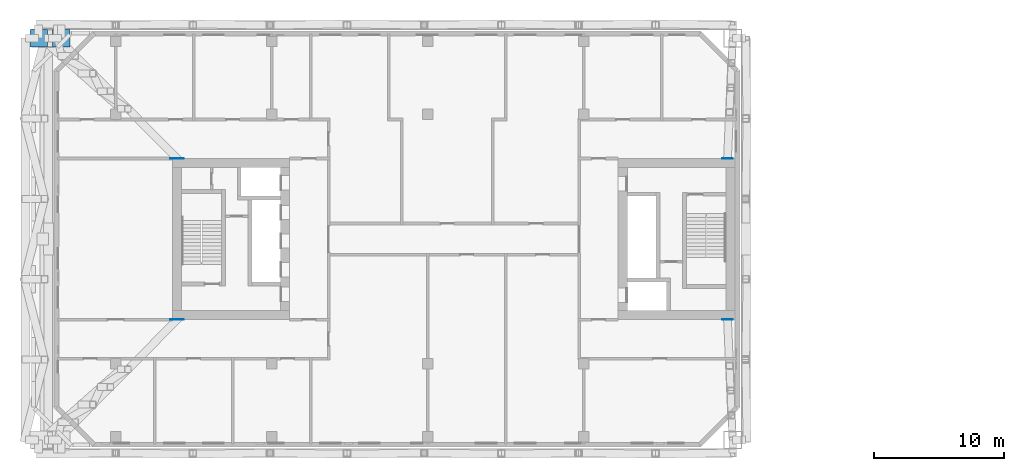
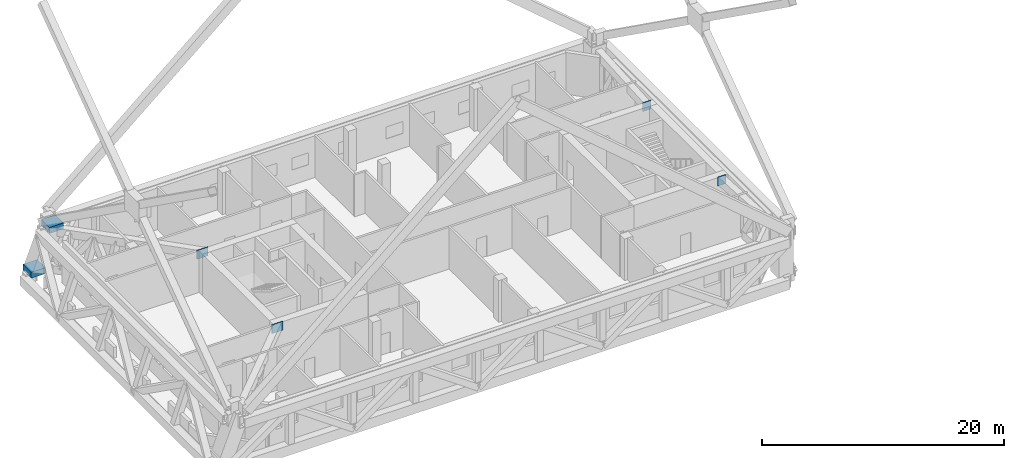
# One storey, part 18 of 20: 6 discrete accessories.
"""IFC4 building model written with IfcOpenShell, lengths in metres."""

import ifcopenshell
import ifcopenshell.guid

model = None  # the IFC model being written
_history = None  # IfcOwnerHistory: only IFC2X3 demands one
_inside = {}  # id of a spatial element -> (the spatial element, [elements in it])
_under = {}  # id of a project, library or spatial element -> (it, [spatial elements below it])
_declared = {}  # id of a project -> (the project, [libraries it declares])
_typed = {}  # id of a type object -> (the type object, [elements of that type])
_made_of = {}  # id of a material, layer set ... -> (it, [elements and type objects made of it])


def new_model(schema):
    """Start an empty IFC model of exactly this schema.

    Asked for "IFC4X3", IfcOpenShell would pick the latest addendum, in which some entities
    have other attributes; the version numbers below select the first issue.
    IFC2X3 requires an IfcOwnerHistory on every rooted entity: one is made here for all.
    """
    global model, _history
    if schema == "IFC4X3":
        model = ifcopenshell.file(schema_version=(4, 3, 0, 0))
    else:
        model = ifcopenshell.file(schema=schema)
    _inside.clear()
    _under.clear()
    _declared.clear()
    _typed.clear()
    _made_of.clear()
    _history = None
    if model.schema == "IFC2X3":
        org = make("IfcOrganization", Name="unknown")
        user = make(
            "IfcPersonAndOrganization",
            ThePerson=make("IfcPerson", FamilyName="unknown"),
            TheOrganization=org,
        )
        app = make(
            "IfcApplication",
            ApplicationDeveloper=org,
            Version="unknown",
            ApplicationFullName="unknown",
            ApplicationIdentifier="unknown",
        )
        _history = make(
            "IfcOwnerHistory",
            OwningUser=user,
            OwningApplication=app,
            ChangeAction="ADDED",
            CreationDate=0,
        )
    return model


def make(cls, **values):
    """One entity of the class cls with the attributes given. An attribute that is None is left unset."""
    return model.create_entity(
        cls, **{name: value for name, value in values.items() if value is not None}
    )


def rooted(cls, **values):
    """An entity with a GlobalId (a new one), such as an element, a storey or a relation."""
    return make(cls, GlobalId=ifcopenshell.guid.new(), OwnerHistory=_history, **values)


def si_unit(unit_type, name, prefix=None):
    """IfcSIUnit, for example si_unit("LENGTHUNIT", "METRE", prefix="MILLI")."""
    return make("IfcSIUnit", UnitType=unit_type, Prefix=prefix, Name=name)


def assignment(units):
    """IfcUnitAssignment: the units of a project."""
    return None if units is None else make("IfcUnitAssignment", Units=units)


def point(xyz):
    """IfcCartesianPoint."""
    return None if xyz is None else make("IfcCartesianPoint", Coordinates=xyz)


def direction(xyz):
    """IfcDirection."""
    return None if xyz is None else make("IfcDirection", DirectionRatios=xyz)


def frame(location, z_axis=None, x_axis=None):
    """IfcAxis2Placement3D, a coordinate frame: its origin and axes. An axis left out is left unset."""
    return make(
        "IfcAxis2Placement3D",
        Location=point(location),
        Axis=direction(z_axis),
        RefDirection=direction(x_axis),
    )


def frame_2d(location, x_axis=None):
    """IfcAxis2Placement2D, a coordinate frame in the plane: its origin and x axis."""
    return make(
        "IfcAxis2Placement2D", Location=point(location), RefDirection=direction(x_axis)
    )


def origin():
    """The frame at (0, 0, 0) with its axes left unset."""
    return frame((0.0, 0.0, 0.0))


def origin_2d():
    """The frame at (0, 0) in the plane with its x axis left unset."""
    return frame_2d((0.0, 0.0))


def place(relative_to, where):
    """IfcLocalPlacement: puts the frame where relative to a parent placement (None: the world)."""
    return make(
        "IfcLocalPlacement", PlacementRelTo=relative_to, RelativePlacement=where
    )


def context(
    kind, dimensions, precision=None, world=None, true_north=None, identifier=None
):
    """IfcGeometricRepresentationContext, for example the 3D "Model" context."""
    return make(
        "IfcGeometricRepresentationContext",
        ContextIdentifier=identifier,
        ContextType=kind,
        CoordinateSpaceDimension=dimensions,
        Precision=precision,
        WorldCoordinateSystem=world,
        TrueNorth=true_north,
    )


def subcontext(parent, identifier, kind, view, scale=None):
    """IfcGeometricRepresentationSubContext, for example "Body" below "Model"."""
    return make(
        "IfcGeometricRepresentationSubContext",
        ContextIdentifier=identifier,
        ContextType=kind,
        ParentContext=parent,
        TargetScale=scale,
        TargetView=view,
    )


def project(units=None, contexts=None):
    """IfcProject with its units and contexts."""
    return rooted(
        "IfcProject",
        Name="project",
        RepresentationContexts=contexts,
        UnitsInContext=assignment(units),
    )


def spatial(cls, under=None, at=None, **own):
    """A site, building, storey or space (cls), placed at a placement, below another one or the project."""
    s = rooted(cls, ObjectPlacement=at, **own)
    if under is not None:
        _under.setdefault(under.id(), (under, []))[1].append(s)
    return s


def profile(cls, at=None, kind="AREA", **sizes):
    """A parametric profile (cls). Its sizes go by their IFC names, for example OverallWidth=200.0."""
    return make(cls, ProfileType=kind, Position=at, **sizes)


def rectangle(**sizes):
    """IfcRectangleProfileDef."""
    return profile("IfcRectangleProfileDef", **sizes)


def extrude(swept, where, along, depth):
    """IfcExtrudedAreaSolid: the profile swept, set in the frame where, extruded along a direction by depth."""
    return make(
        "IfcExtrudedAreaSolid",
        SweptArea=swept,
        Position=where,
        ExtrudedDirection=direction(along),
        Depth=depth,
    )


def shape(context_of_items, identifier, shape_type, items):
    """IfcShapeRepresentation: the items that make up one representation, for example the "Body"."""
    return make(
        "IfcShapeRepresentation",
        ContextOfItems=context_of_items,
        RepresentationIdentifier=identifier,
        RepresentationType=shape_type,
        Items=items,
    )


def made_of(thing, what):
    """Note that an element or type object is made of a material, layer set ...; save() writes the relation."""
    if what is not None:
        _made_of.setdefault(what.id(), (what, []))[1].append(thing)
    return thing


def element(
    cls,
    number,
    at=None,
    inside=None,
    cuts=None,
    type_object=None,
    material=None,
    context=None,
    identifier="Body",
    shape_type=None,
    held_by="IfcProductDefinitionShape",
    body=None,
    shapes=None,
    **own,
):
    """One element of the class cls, such as IfcWall. Its Tag is "e" and its number.

    at: its placement. inside: the storey or other place that contains it. cuts: it is an
    opening in that element (IfcRelVoidsElement). A single representation is given by context,
    identifier, shape_type and body (its items); several are given by shapes. held_by: the class
    of the entity that holds the representations. save() writes the other relations.
    """
    e = rooted(cls, Tag="e%d" % number, ObjectPlacement=at, **own)
    if body is not None:
        shapes = [shape(context, identifier, shape_type, body)]
    if shapes is not None:
        e.Representation = make(held_by, Representations=shapes)
    if inside is not None:
        _inside.setdefault(inside.id(), (inside, []))[1].append(e)
    if cuts is not None:
        rooted(
            "IfcRelVoidsElement", RelatingBuildingElement=cuts, RelatedOpeningElement=e
        )
    if type_object is not None:
        _typed.setdefault(type_object.id(), (type_object, []))[1].append(e)
    return made_of(e, material)


def aggregate(whole, parts):
    """IfcRelAggregates: a whole, such as a stair, and the parts it consists of."""
    return rooted("IfcRelAggregates", RelatingObject=whole, RelatedObjects=parts)


def save(model, path):
    """Write the relations noted so far, then the file.

    IfcRelAggregates (storeys below a building ...), IfcRelContainedInSpatialStructure (elements
    in a storey), IfcRelDefinesByType, IfcRelAssociatesMaterial and IfcRelDeclares: one each for
    every whole, place, type object, material and project.
    """
    for whole, parts in _under.values():
        aggregate(whole, parts)
    for where, things in _inside.values():
        rooted(
            "IfcRelContainedInSpatialStructure",
            RelatedElements=things,
            RelatingStructure=where,
        )
    for kind, things in _typed.values():
        rooted("IfcRelDefinesByType", RelatedObjects=things, RelatingType=kind)
    for what, things in _made_of.values():
        rooted("IfcRelAssociatesMaterial", RelatedObjects=things, RelatingMaterial=what)
    for by, libraries in _declared.values():
        rooted("IfcRelDeclares", RelatingContext=by, RelatedDefinitions=libraries)
    model.write(path)


model = new_model("IFC4")

# Units and contexts
model_context = context("Model", 3, precision=1e-05, world=origin(), true_north=direction((0.0, 1.0)))
body_context = subcontext(model_context, "Body", "Model", "MODEL_VIEW")
ifc_project = project(units=[si_unit("LENGTHUNIT", "METRE"), si_unit("AREAUNIT", "SQUARE_METRE"), si_unit("VOLUMEUNIT", "CUBIC_METRE"), si_unit("PLANEANGLEUNIT", "RADIAN"), si_unit("MASSUNIT", "GRAM", prefix="KILO")], contexts=[model_context])

# Site, building, storey
site_placement = place(None, origin())
site = spatial("IfcSite", under=ifc_project, at=site_placement, CompositionType="ELEMENT")
building_placement = place(site_placement, origin())
building = spatial("IfcBuilding", under=site, at=building_placement, Name="Tuart Gate Housing", CompositionType="ELEMENT")
storey_placement = place(building_placement, frame((0.0, 0.0, 62.89990234375)))
storey = spatial("IfcBuildingStorey", under=building, at=storey_placement, Name="L17", CompositionType="ELEMENT", Elevation=62.89990234375)

# Discrete accessories
for number, where, z_axis, x_axis, name in (
    (1, (22.050048828125, 85.449951171875, 0.0), (0.0, 0.0, 1.0), (1.0, 0.0, 0.0), "Mega column node A north-west foot L17"),
    (2, (23.800048828125, 85.449951171875, 3.900146484375), (0.0, 0.0, 1.0), (1.0, 0.0, 0.0), "Mega column node A north-west head L17"),
):
    element("IfcDiscreteAccessory", number, at=place(storey_placement, frame(where, z_axis=z_axis, x_axis=x_axis)), inside=storey, Name=name, ObjectType="Mega column node", PredefinedType="USERDEFINED", context=body_context, shape_type="SweptSolid", body=[
        extrude(rectangle(XDim=1.343994140625, YDim=1.343994140625, at=origin_2d()), origin(), (0.0, 0.0, 1.0), 0.60009765625),
    ])
for number, where, z_axis, x_axis, name in (
    (3, (32.7119140625, 63.820068359375, 3.35009765625), (0.0, 0.0, 1.0), (1.0, 0.0, 0.0), "Outrigger embed plate AK south L17"),
    (4, (32.7119140625, 76.179931640625, 3.35009765625), (0.0, 0.0, 1.0), (1.0, 0.0, 0.0), "Outrigger embed plate AK north L17"),
):
    element("IfcDiscreteAccessory", number, at=place(storey_placement, frame(where, z_axis=z_axis, x_axis=x_axis)), inside=storey, Name=name, PredefinedType="ANCHORPLATE", context=body_context, shape_type="SweptSolid", body=[
        extrude(rectangle(XDim=1.04541015625, YDim=0.0400390625, at=origin_2d()), origin(), (0.0, 0.0, 1.0), 0.89990234375),
    ])
for number, where, z_axis, x_axis, name in (
    (5, (75.05078125, 63.820068359375, 3.35009765625), (0.0, 0.0, 1.0), (1.0, 0.0, 0.0), "Outrigger embed plate AG south L17"),
    (6, (75.05078125, 76.179931640625, 3.35009765625), (0.0, 0.0, 1.0), (1.0, 0.0, 0.0), "Outrigger embed plate AG north L17"),
):
    element("IfcDiscreteAccessory", number, at=place(storey_placement, frame(where, z_axis=z_axis, x_axis=x_axis)), inside=storey, Name=name, PredefinedType="ANCHORPLATE", context=body_context, shape_type="SweptSolid", body=[
        extrude(rectangle(XDim=0.800537109375, YDim=0.0400390625, at=origin_2d()), origin(), (0.0, 0.0, 1.0), 0.89990234375),
    ])

save(model, "model.ifc")
